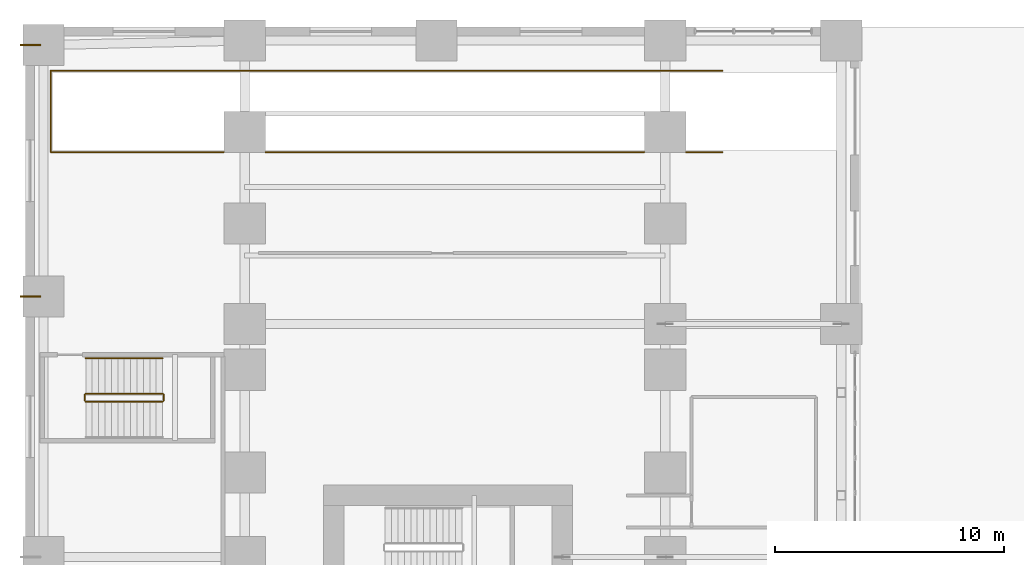
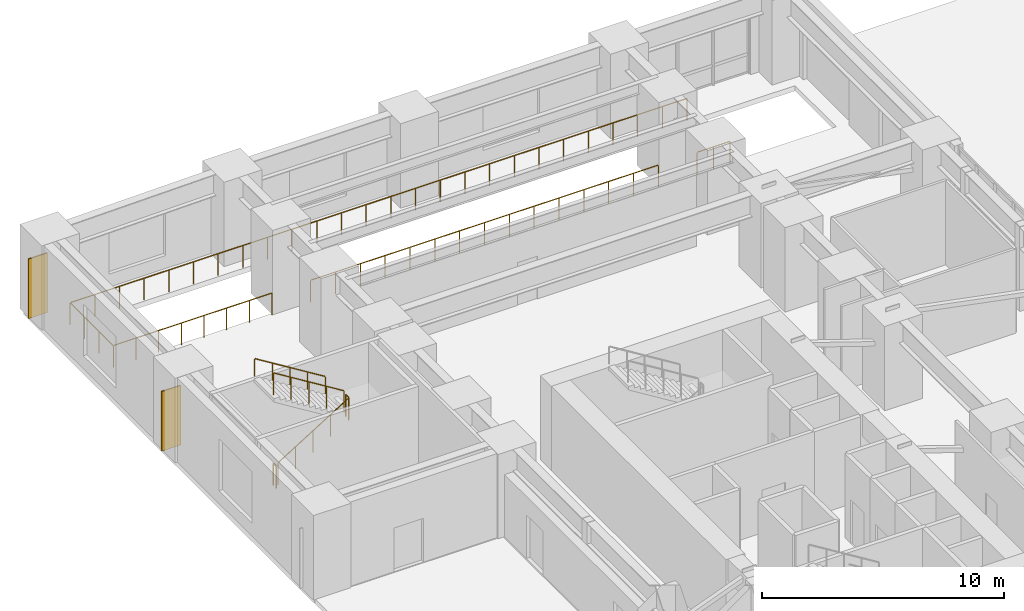
# One storey, part 21 of 23: 10 railings, 2 coverings.
"""IFC4 building model written with IfcOpenShell, lengths in metres."""

from ifc_helpers import new_model, si_unit, direction, frame, origin, origin_2d, place, context, subcontext, project, spatial, rectangle, circle, extrude, source, transform, mapped, material, layer, layer_set, type_object, element, save


model = new_model("IFC4")

# Units and contexts
model_context = context("Model", 3, precision=1e-05, world=origin(), true_north=direction((0.0, 1.0)))
body_context = subcontext(model_context, "Body", "Model", "MODEL_VIEW")
ifc_project = project(units=[si_unit("LENGTHUNIT", "METRE"), si_unit("AREAUNIT", "SQUARE_METRE"), si_unit("VOLUMEUNIT", "CUBIC_METRE"), si_unit("PLANEANGLEUNIT", "RADIAN"), si_unit("MASSUNIT", "GRAM", prefix="KILO")], contexts=[model_context])

# Site, building, storey
site_placement = place(None, origin())
site = spatial("IfcSite", under=ifc_project, at=site_placement, CompositionType="ELEMENT")
building_placement = place(site_placement, origin())
building = spatial("IfcBuilding", under=site, at=building_placement, Name="Kharzan Plaza Tower", CompositionType="ELEMENT")
storey_placement = place(building_placement, origin())
storey = spatial("IfcBuildingStorey", under=building, at=storey_placement, Name="L00", CompositionType="ELEMENT", Elevation=0.0)

# Railings
ifc_material_1 = material(Name="Painted Galvanized Architectural Steel", Category="steel")
ifc_layer_1 = layer(ifc_material_1, 0.074951171875)
ifc_layer_set_1 = layer_set([ifc_layer_1], Name="Painted Galvanized Architectural Steel")
railing_type_1 = type_object("IfcRailingType", Name="RL-GUARD-1120", PredefinedType="BALUSTRADE", material=ifc_layer_set_1)
shared_shape_1 = source(origin(), body_context, "Body", "SweptSolid", [
    extrude(circle(Radius=0.02392578125, at=origin_2d()), frame((0.0224609375, 0.0, 1.10986328125), z_axis=(0.850623216509, 0.0, 0.525775754039), x_axis=(0.0, 1.0, 0.0)), (0.0, 0.0, 1.0), 3.897216796875),
    extrude(circle(Radius=0.02099609375, at=origin_2d()), origin(), (0.0, 0.0, 1.0), 1.072021484375),
    extrude(circle(Radius=0.02099609375, at=origin_2d()), frame((0.840087890625, 0.0, 0.519287109375)), (0.0, 0.0, 1.0), 1.072021484375),
    extrude(circle(Radius=0.02099609375, at=origin_2d()), frame((1.68017578125, 0.0, 1.03857421875)), (0.0, 0.0, 1.0), 1.072021484375),
    extrude(circle(Radius=0.02099609375, at=origin_2d()), frame((2.52001953125, 0.0, 1.5576171875)), (0.0, 0.0, 1.0), 1.072021484375),
    extrude(circle(Radius=0.02099609375, at=origin_2d()), frame((3.360107421875, 0.0, 2.076904296875)), (0.0, 0.0, 1.0), 1.072021484375),
])
railing_1_placement = place(storey_placement, frame((-6.35009765625, 33.60009765625, 0.173095703125)))
element("IfcRailing", 1, at=railing_1_placement, inside=storey, type_object=railing_type_1, Name="L00 ST-4 stair guard 1", PredefinedType="BALUSTRADE", context=body_context, shape_type="MappedRepresentation", body=[
    mapped(shared_shape_1, transform((0.0, 0.0, 0.0), x_axis=(1.0, 0.0, 0.0), y_axis=(0.0, 1.0, 0.0), z_axis=(0.0, 0.0, 1.0))),
])
shared_shape_2 = source(origin(), body_context, "Body", "SweptSolid", [
    extrude(circle(Radius=0.02392578125, at=origin_2d()), frame((0.0, 0.0263671875, 1.09619140625), z_axis=(0.0, 1.0, 0.0), x_axis=(-1.0, 0.0, 0.0)), (0.0, 0.0, 1.0), 0.197021484375),
    extrude(circle(Radius=0.02099609375, at=origin_2d()), origin(), (0.0, 0.0, 1.0), 1.072021484375),
    extrude(circle(Radius=0.02099609375, at=origin_2d()), frame((0.0, 0.25, 0.0)), (0.0, 0.0, 1.0), 1.072021484375),
])
for number, where, name in (
    (2, (-2.93994140625, 33.64990234375, 2.25), "L00 ST-4 stair guard 2"),
    (3, (-6.39990234375, 33.64990234375, 0.0), "L00 ST-4 stair guard 4"),
):
    element("IfcRailing", number, at=place(storey_placement, frame(where)), inside=storey, type_object=railing_type_1, Name=name, PredefinedType="BALUSTRADE", context=body_context, shape_type="MappedRepresentation", body=[
        mapped(shared_shape_2, transform((0.0, 0.0, 0.0), x_axis=(1.0, 0.0, 0.0), y_axis=(0.0, 1.0, 0.0), z_axis=(0.0, 0.0, 1.0))),
    ])
shared_shape_3 = source(origin(), body_context, "Body", "SweptSolid", [
    extrude(circle(Radius=0.02392578125, at=origin_2d()), frame((-0.0224609375, 0.0, 1.10986328125), z_axis=(-0.850623216509, 0.0, 0.525775754039), x_axis=(0.0, -1.0, 0.0)), (0.0, 0.0, 1.0), 3.897216796875),
    extrude(circle(Radius=0.02099609375, at=origin_2d()), origin(), (0.0, 0.0, 1.0), 1.072021484375),
    extrude(circle(Radius=0.02099609375, at=origin_2d()), frame((-0.840087890625, 0.0, 0.519287109375)), (0.0, 0.0, 1.0), 1.072021484375),
    extrude(circle(Radius=0.02099609375, at=origin_2d()), frame((-1.68017578125, 0.0, 1.03857421875)), (0.0, 0.0, 1.0), 1.072021484375),
    extrude(circle(Radius=0.02099609375, at=origin_2d()), frame((-2.52001953125, 0.0, 1.5576171875)), (0.0, 0.0, 1.0), 1.072021484375),
    extrude(circle(Radius=0.02099609375, at=origin_2d()), frame((-3.360107421875, 0.0, 2.076904296875)), (0.0, 0.0, 1.0), 1.072021484375),
])
railing_2_placement = place(storey_placement, frame((-2.989990234375, 33.949951171875, 2.423095703125)))
element("IfcRailing", 4, at=railing_2_placement, inside=storey, type_object=railing_type_1, Name="L00 ST-4 stair guard 3", PredefinedType="BALUSTRADE", context=body_context, shape_type="MappedRepresentation", body=[
    mapped(shared_shape_3, transform((0.0, 0.0, 0.0), x_axis=(1.0, 0.0, 0.0), y_axis=(0.0, 1.0, 0.0), z_axis=(0.0, 0.0, 1.0))),
])
ifc_material_2 = material(Name="Brushed Stainless Steel", Category="steel")
ifc_layer_2 = layer(ifc_material_2, 0.050048828125)
ifc_layer_set_2 = layer_set([ifc_layer_2], Name="Brushed Stainless Steel")
railing_type_2 = type_object("IfcRailingType", Name="RL-STAIR-HR920", PredefinedType="HANDRAIL", material=ifc_layer_set_2)
shared_shape_4 = source(origin(), body_context, "Body", "SweptSolid", [
    extrude(circle(Radius=0.02392578125, at=origin_2d()), frame((-0.0224609375, 0.0, 0.8896484375), z_axis=(-0.850623216509, 0.0, 0.525775754039), x_axis=(0.0, -1.0, 0.0)), (0.0, 0.0, 1.0), 3.897216796875),
    extrude(circle(Radius=0.02099609375, at=origin_2d()), origin(), (0.0, 0.0, 1.0), 0.851806640625),
    extrude(circle(Radius=0.02099609375, at=origin_2d()), frame((-0.840087890625, 0.0, 0.519287109375)), (0.0, 0.0, 1.0), 0.851806640625),
    extrude(circle(Radius=0.02099609375, at=origin_2d()), frame((-1.68017578125, 0.0, 1.03857421875)), (0.0, 0.0, 1.0), 0.851806640625),
    extrude(circle(Radius=0.02099609375, at=origin_2d()), frame((-2.52001953125, 0.0, 1.5576171875)), (0.0, 0.0, 1.0), 0.851806640625),
    extrude(circle(Radius=0.02099609375, at=origin_2d()), frame((-3.360107421875, 0.0, 2.076904296875)), (0.0, 0.0, 1.0), 0.851806640625),
])
railing_3_placement = place(storey_placement, frame((-2.989990234375, 35.5, 2.423095703125)))
element("IfcRailing", 5, at=railing_3_placement, inside=storey, type_object=railing_type_2, Name="L00 ST-4 stair handrail 2", PredefinedType="HANDRAIL", context=body_context, shape_type="MappedRepresentation", body=[
    mapped(shared_shape_4, transform((0.0, 0.0, 0.0), x_axis=(1.0, 0.0, 0.0), y_axis=(0.0, 1.0, 0.0), z_axis=(0.0, 0.0, 1.0))),
])

# Coverings
ifc_material_3 = material(Name="Honed Riyadh Limestone", Category="masonry")
ifc_layer_3 = layer(ifc_material_3, 0.06005859375)
ifc_layer_set_3 = layer_set([ifc_layer_3], Name="Honed Riyadh Limestone")
covering_type = type_object("IfcCoveringType", Name="COV-CLAD-STONE", PredefinedType="CLADDING", material=ifc_layer_set_3)
shared_shape_5 = source(origin(), body_context, "Body", "SweptSolid", [
    extrude(rectangle(XDim=0.06005859375, YDim=0.89990234375, at=origin_2d()), origin(), (0.0, 0.0, 1.0), 3.0),
])
for number, where, z_axis, x_axis, name in (
    (6, (-8.780029296875, 38.199951171875, 0.10009765625), (0.0, 0.0, 1.0), (0.0, 1.0, 0.0), "L00 Limestone Pier Rainscreen Cladding MC02"),
    (7, (-8.780029296875, 49.199951171875, 0.10009765625), (0.0, 0.0, 1.0), (0.0, 1.0, 0.0), "L00 Limestone Pier Rainscreen Cladding MC03"),
):
    element("IfcCovering", number, at=place(storey_placement, frame(where, z_axis=z_axis, x_axis=x_axis)), inside=storey, type_object=covering_type, Name=name, PredefinedType="CLADDING", context=body_context, shape_type="MappedRepresentation", body=[
        mapped(shared_shape_5, transform((0.0, 0.0, 0.0), x_axis=(1.0, 0.0, 0.0), y_axis=(0.0, 1.0, 0.0), z_axis=(0.0, 0.0, 1.0))),
    ])

# Railings
shared_shape_6 = source(origin(), body_context, "Body", "SweptSolid", [
    extrude(circle(Radius=0.02392578125, at=origin_2d()), frame((0.0, -0.0263671875, 1.09619140625), z_axis=(0.0, -1.0, 0.0), x_axis=(1.0, 0.0, 0.0)), (0.0, 0.0, 1.0), 3.507080078125),
    extrude(circle(Radius=0.02099609375, at=origin_2d()), origin(), (0.0, 0.0, 1.0), 1.072021484375),
    extrude(circle(Radius=0.02099609375, at=origin_2d()), frame((0.0, -1.186767578125, 0.0)), (0.0, 0.0, 1.0), 1.072021484375),
    extrude(circle(Radius=0.02099609375, at=origin_2d()), frame((0.0, -2.373291015625, 0.0)), (0.0, 0.0, 1.0), 1.072021484375),
    extrude(circle(Radius=0.02099609375, at=origin_2d()), frame((0.0, -3.56005859375, 0.0)), (0.0, 0.0, 1.0), 1.072021484375),
])
railing_4_placement = place(storey_placement, frame((-7.8798828125, 48.080078125, 0.0)))
element("IfcRailing", 8, at=railing_4_placement, inside=storey, type_object=railing_type_1, Name="L00 Forecourt Ramp Opening Safety Guard 01", PredefinedType="BALUSTRADE", context=body_context, shape_type="MappedRepresentation", body=[
    mapped(shared_shape_6, transform((0.0, 0.0, 0.0), x_axis=(1.0, 0.0, 0.0), y_axis=(0.0, 1.0, 0.0), z_axis=(0.0, 0.0, 1.0))),
])
shared_shape_7 = source(origin(), body_context, "Body", "SweptSolid", [
    extrude(circle(Radius=0.02392578125, at=origin_2d()), frame((0.0263671875, 0.0, 1.09619140625), z_axis=(1.0, 0.0, 0.0), x_axis=(0.0, 1.0, 0.0)), (0.0, 0.0, 1.0), 7.5068359375),
    extrude(circle(Radius=0.02099609375, at=origin_2d()), origin(), (0.0, 0.0, 1.0), 1.072021484375),
    extrude(circle(Radius=0.02099609375, at=origin_2d()), frame((1.080078125, 0.0, 0.0)), (0.0, 0.0, 1.0), 1.072021484375),
    extrude(circle(Radius=0.02099609375, at=origin_2d()), frame((2.159912109375, 0.0, 0.0)), (0.0, 0.0, 1.0), 1.072021484375),
    extrude(circle(Radius=0.02099609375, at=origin_2d()), frame((3.239990234375, 0.0, 0.0)), (0.0, 0.0, 1.0), 1.072021484375),
    extrude(circle(Radius=0.02099609375, at=origin_2d()), frame((4.31982421875, 0.0, 0.0)), (0.0, 0.0, 1.0), 1.072021484375),
    extrude(circle(Radius=0.02099609375, at=origin_2d()), frame((5.39990234375, 0.0, 0.0)), (0.0, 0.0, 1.0), 1.072021484375),
    extrude(circle(Radius=0.02099609375, at=origin_2d()), frame((6.479736328125, 0.0, 0.0)), (0.0, 0.0, 1.0), 1.072021484375),
    extrude(circle(Radius=0.02099609375, at=origin_2d()), frame((7.559814453125, 0.0, 0.0)), (0.0, 0.0, 1.0), 1.072021484375),
])
railing_5_placement = place(storey_placement, frame((-7.8798828125, 44.52001953125, 0.0)))
element("IfcRailing", 9, at=railing_5_placement, inside=storey, type_object=railing_type_1, Name="L00 Forecourt Ramp Opening Safety Guard 02", PredefinedType="BALUSTRADE", context=body_context, shape_type="MappedRepresentation", body=[
    mapped(shared_shape_7, transform((0.0, 0.0, 0.0), x_axis=(1.0, 0.0, 0.0), y_axis=(0.0, 1.0, 0.0), z_axis=(0.0, 0.0, 1.0))),
])
shared_shape_8 = source(origin(), body_context, "Body", "SweptSolid", [
    extrude(circle(Radius=0.02392578125, at=origin_2d()), frame((0.0263671875, 0.0, 1.09619140625), z_axis=(1.0, 0.0, 0.0), x_axis=(0.0, 1.0, 0.0)), (0.0, 0.0, 1.0), 16.507080078125),
    extrude(circle(Radius=0.02099609375, at=origin_2d()), origin(), (0.0, 0.0, 1.0), 1.072021484375),
    extrude(circle(Radius=0.02099609375, at=origin_2d()), frame((1.182861328125, 0.0, 0.0)), (0.0, 0.0, 1.0), 1.072021484375),
    extrude(circle(Radius=0.02099609375, at=origin_2d()), frame((2.36572265625, 0.0, 0.0)), (0.0, 0.0, 1.0), 1.072021484375),
    extrude(circle(Radius=0.02099609375, at=origin_2d()), frame((3.548583984375, 0.0, 0.0)), (0.0, 0.0, 1.0), 1.072021484375),
    extrude(circle(Radius=0.02099609375, at=origin_2d()), frame((4.7314453125, 0.0, 0.0)), (0.0, 0.0, 1.0), 1.072021484375),
    extrude(circle(Radius=0.02099609375, at=origin_2d()), frame((5.914306640625, 0.0, 0.0)), (0.0, 0.0, 1.0), 1.072021484375),
    extrude(circle(Radius=0.02099609375, at=origin_2d()), frame((7.09716796875, 0.0, 0.0)), (0.0, 0.0, 1.0), 1.072021484375),
    extrude(circle(Radius=0.02099609375, at=origin_2d()), frame((8.280029296875, 0.0, 0.0)), (0.0, 0.0, 1.0), 1.072021484375),
    extrude(circle(Radius=0.02099609375, at=origin_2d()), frame((9.462890625, 0.0, 0.0)), (0.0, 0.0, 1.0), 1.072021484375),
    extrude(circle(Radius=0.02099609375, at=origin_2d()), frame((10.645751953125, 0.0, 0.0)), (0.0, 0.0, 1.0), 1.072021484375),
    extrude(circle(Radius=0.02099609375, at=origin_2d()), frame((11.82861328125, 0.0, 0.0)), (0.0, 0.0, 1.0), 1.072021484375),
    extrude(circle(Radius=0.02099609375, at=origin_2d()), frame((13.011474609375, 0.0, 0.0)), (0.0, 0.0, 1.0), 1.072021484375),
    extrude(circle(Radius=0.02099609375, at=origin_2d()), frame((14.1943359375, 0.0, 0.0)), (0.0, 0.0, 1.0), 1.072021484375),
    extrude(circle(Radius=0.02099609375, at=origin_2d()), frame((15.377197265625, 0.0, 0.0)), (0.0, 0.0, 1.0), 1.072021484375),
    extrude(circle(Radius=0.02099609375, at=origin_2d()), frame((16.56005859375, 0.0, 0.0)), (0.0, 0.0, 1.0), 1.072021484375),
])
railing_6_placement = place(storey_placement, frame((1.52001953125, 44.52001953125, 0.0)))
element("IfcRailing", 10, at=railing_6_placement, inside=storey, type_object=railing_type_1, Name="L00 Forecourt Ramp Opening Safety Guard 03", PredefinedType="BALUSTRADE", context=body_context, shape_type="MappedRepresentation", body=[
    mapped(shared_shape_8, transform((0.0, 0.0, 0.0), x_axis=(1.0, 0.0, 0.0), y_axis=(0.0, 1.0, 0.0), z_axis=(0.0, 0.0, 1.0))),
])
shared_shape_9 = source(origin(), body_context, "Body", "SweptSolid", [
    extrude(circle(Radius=0.02392578125, at=origin_2d()), frame((0.0263671875, 0.0, 1.09619140625), z_axis=(1.0, 0.0, 0.0), x_axis=(0.0, 1.0, 0.0)), (0.0, 0.0, 1.0), 1.527099609375),
    extrude(circle(Radius=0.02099609375, at=origin_2d()), origin(), (0.0, 0.0, 1.0), 1.072021484375),
    extrude(circle(Radius=0.02099609375, at=origin_2d()), frame((0.7900390625, 0.0, 0.0)), (0.0, 0.0, 1.0), 1.072021484375),
    extrude(circle(Radius=0.02099609375, at=origin_2d()), frame((1.580078125, 0.0, 0.0)), (0.0, 0.0, 1.0), 1.072021484375),
])
railing_7_placement = place(storey_placement, frame((19.919921875, 44.52001953125, 0.0)))
element("IfcRailing", 11, at=railing_7_placement, inside=storey, type_object=railing_type_1, Name="L00 Forecourt Ramp Opening Safety Guard 04", PredefinedType="BALUSTRADE", context=body_context, shape_type="MappedRepresentation", body=[
    mapped(shared_shape_9, transform((0.0, 0.0, 0.0), x_axis=(1.0, 0.0, 0.0), y_axis=(0.0, 1.0, 0.0), z_axis=(0.0, 0.0, 1.0))),
])
shared_shape_10 = source(origin(), body_context, "Body", "SweptSolid", [
    extrude(circle(Radius=0.02392578125, at=origin_2d()), frame((0.0263671875, 0.0, 1.09619140625), z_axis=(1.0, 0.0, 0.0), x_axis=(0.0, 1.0, 0.0)), (0.0, 0.0, 1.0), 29.326904296875),
    extrude(circle(Radius=0.02099609375, at=origin_2d()), origin(), (0.0, 0.0, 1.0), 1.072021484375),
    extrude(circle(Radius=0.02099609375, at=origin_2d()), frame((1.17529296875, 0.0, 0.0)), (0.0, 0.0, 1.0), 1.072021484375),
    extrude(circle(Radius=0.02099609375, at=origin_2d()), frame((2.350341796875, 0.0, 0.0)), (0.0, 0.0, 1.0), 1.072021484375),
    extrude(circle(Radius=0.02099609375, at=origin_2d()), frame((3.525634765625, 0.0, 0.0)), (0.0, 0.0, 1.0), 1.072021484375),
    extrude(circle(Radius=0.02099609375, at=origin_2d()), frame((4.70068359375, 0.0, 0.0)), (0.0, 0.0, 1.0), 1.072021484375),
    extrude(circle(Radius=0.02099609375, at=origin_2d()), frame((5.8759765625, 0.0, 0.0)), (0.0, 0.0, 1.0), 1.072021484375),
    extrude(circle(Radius=0.02099609375, at=origin_2d()), frame((7.05126953125, 0.0, 0.0)), (0.0, 0.0, 1.0), 1.072021484375),
    extrude(circle(Radius=0.02099609375, at=origin_2d()), frame((8.226318359375, 0.0, 0.0)), (0.0, 0.0, 1.0), 1.072021484375),
    extrude(circle(Radius=0.02099609375, at=origin_2d()), frame((9.401611328125, 0.0, 0.0)), (0.0, 0.0, 1.0), 1.072021484375),
    extrude(circle(Radius=0.02099609375, at=origin_2d()), frame((10.57666015625, 0.0, 0.0)), (0.0, 0.0, 1.0), 1.072021484375),
    extrude(circle(Radius=0.02099609375, at=origin_2d()), frame((11.751953125, 0.0, 0.0)), (0.0, 0.0, 1.0), 1.072021484375),
    extrude(circle(Radius=0.02099609375, at=origin_2d()), frame((12.92724609375, 0.0, 0.0)), (0.0, 0.0, 1.0), 1.072021484375),
    extrude(circle(Radius=0.02099609375, at=origin_2d()), frame((14.102294921875, 0.0, 0.0)), (0.0, 0.0, 1.0), 1.072021484375),
    extrude(circle(Radius=0.02099609375, at=origin_2d()), frame((15.277587890625, 0.0, 0.0)), (0.0, 0.0, 1.0), 1.072021484375),
    extrude(circle(Radius=0.02099609375, at=origin_2d()), frame((16.45263671875, 0.0, 0.0)), (0.0, 0.0, 1.0), 1.072021484375),
    extrude(circle(Radius=0.02099609375, at=origin_2d()), frame((17.6279296875, 0.0, 0.0)), (0.0, 0.0, 1.0), 1.072021484375),
    extrude(circle(Radius=0.02099609375, at=origin_2d()), frame((18.80322265625, 0.0, 0.0)), (0.0, 0.0, 1.0), 1.072021484375),
    extrude(circle(Radius=0.02099609375, at=origin_2d()), frame((19.978271484375, 0.0, 0.0)), (0.0, 0.0, 1.0), 1.072021484375),
    extrude(circle(Radius=0.02099609375, at=origin_2d()), frame((21.153564453125, 0.0, 0.0)), (0.0, 0.0, 1.0), 1.072021484375),
    extrude(circle(Radius=0.02099609375, at=origin_2d()), frame((22.32861328125, 0.0, 0.0)), (0.0, 0.0, 1.0), 1.072021484375),
    extrude(circle(Radius=0.02099609375, at=origin_2d()), frame((23.50390625, 0.0, 0.0)), (0.0, 0.0, 1.0), 1.072021484375),
    extrude(circle(Radius=0.02099609375, at=origin_2d()), frame((24.67919921875, 0.0, 0.0)), (0.0, 0.0, 1.0), 1.072021484375),
    extrude(circle(Radius=0.02099609375, at=origin_2d()), frame((25.854248046875, 0.0, 0.0)), (0.0, 0.0, 1.0), 1.072021484375),
    extrude(circle(Radius=0.02099609375, at=origin_2d()), frame((27.029541015625, 0.0, 0.0)), (0.0, 0.0, 1.0), 1.072021484375),
    extrude(circle(Radius=0.02099609375, at=origin_2d()), frame((28.20458984375, 0.0, 0.0)), (0.0, 0.0, 1.0), 1.072021484375),
    extrude(circle(Radius=0.02099609375, at=origin_2d()), frame((29.3798828125, 0.0, 0.0)), (0.0, 0.0, 1.0), 1.072021484375),
])
railing_8_placement = place(storey_placement, frame((-7.8798828125, 48.080078125, 0.0)))
element("IfcRailing", 12, at=railing_8_placement, inside=storey, type_object=railing_type_1, Name="L00 Forecourt Ramp Opening Safety Guard 05", PredefinedType="BALUSTRADE", context=body_context, shape_type="MappedRepresentation", body=[
    mapped(shared_shape_10, transform((0.0, 0.0, 0.0), x_axis=(1.0, 0.0, 0.0), y_axis=(0.0, 1.0, 0.0), z_axis=(0.0, 0.0, 1.0))),
])

save(model, "model.ifc")
